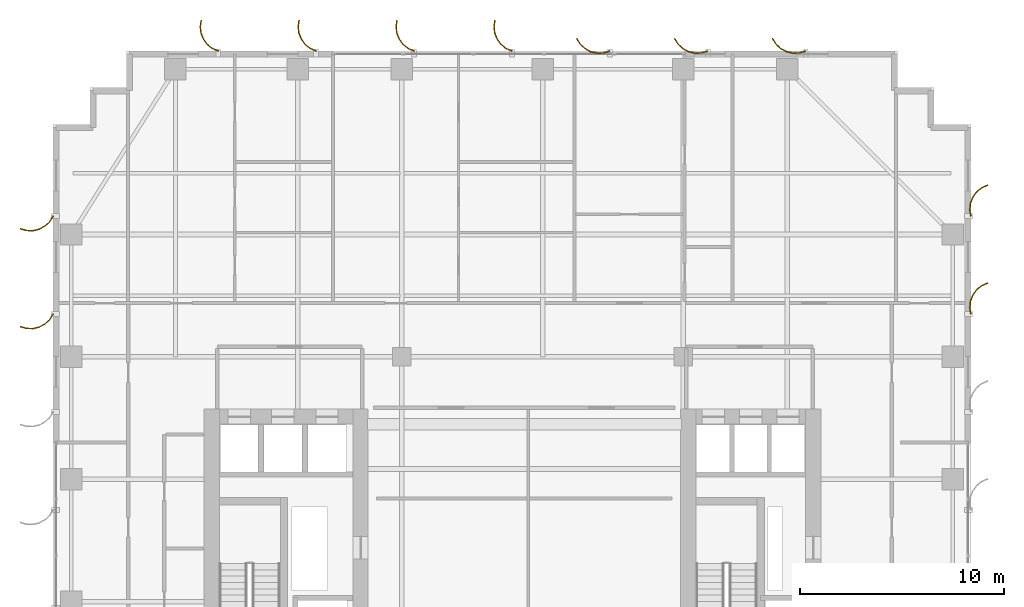
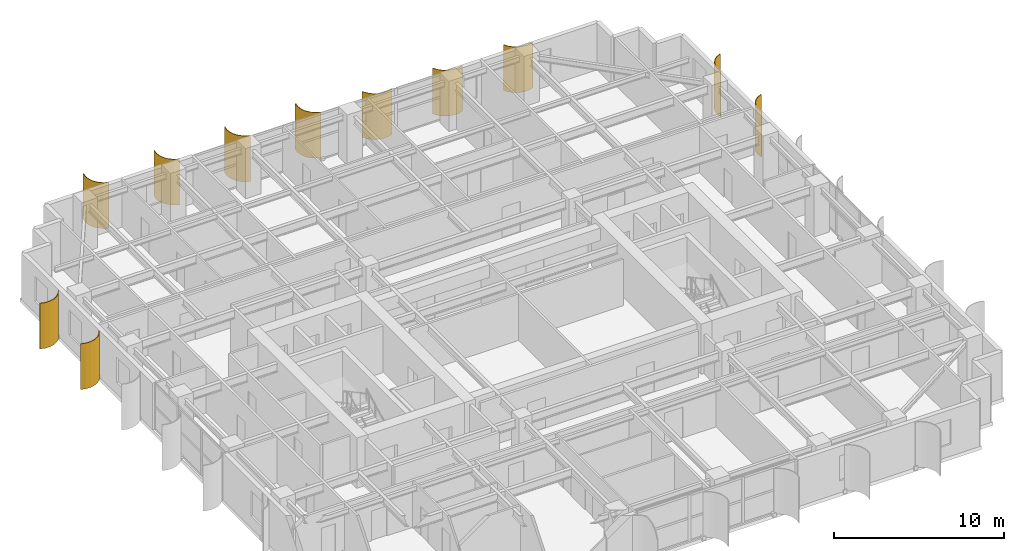
# One storey, part 21 of 21: 11 shading devices.
"""IFC4 building model written with IfcOpenShell, lengths in metres."""

from ifc_helpers import new_model, si_unit, direction, frame, origin, place, context, subcontext, project, spatial, polyline, outline, extrude, source, transform, mapped, material, layer, layer_set, type_object, element, save


model = new_model("IFC4")

# Units and contexts
model_context = context("Model", 3, precision=1e-05, world=origin(), true_north=direction((0.0, 1.0)))
body_context = subcontext(model_context, "Body", "Model", "MODEL_VIEW")
ifc_project = project(units=[si_unit("LENGTHUNIT", "METRE"), si_unit("AREAUNIT", "SQUARE_METRE"), si_unit("VOLUMEUNIT", "CUBIC_METRE"), si_unit("PLANEANGLEUNIT", "RADIAN"), si_unit("MASSUNIT", "GRAM", prefix="KILO")], contexts=[model_context])

# Site, building, storey
site_placement = place(None, origin())
site = spatial("IfcSite", under=ifc_project, at=site_placement, CompositionType="ELEMENT")
building_placement = place(site_placement, origin())
building = spatial("IfcBuilding", under=site, at=building_placement, Name="Khoralis Quay Care Tower", CompositionType="ELEMENT")
storey_placement = place(building_placement, frame((0.0, 0.0, 112.5)))
storey = spatial("IfcBuildingStorey", under=building, at=storey_placement, Name="L29", CompositionType="ELEMENT", Elevation=112.5)

# Shading devices
ifc_material = material(Name="Brushed pale anodised aluminium", Category="aluminium")
ifc_layer = layer(ifc_material, 0.044921875)
ifc_layer_set = layer_set([ifc_layer], Name="Brushed pale anodised aluminium")
shading_device_type = type_object("IfcShadingDeviceType", Name="SHD-FIN-1250", PredefinedType="USERDEFINED", material=ifc_layer_set)
shared_shape_1 = source(origin(), body_context, "Body", "SweptSolid", [
    extrude(outline(polyline([(0.0, 0.0), (0.17041015625, 0.2783203125), (0.4072265625, 0.5029296875), (0.694091796875, 0.658447265625), (1.01123046875, 0.734619140625), (1.33740234375, 0.72607421875), (1.650390625, 0.633544921875), (1.632080078125, 0.59228515625), (1.330322265625, 0.681640625), (1.015869140625, 0.68994140625), (0.710205078125, 0.616455078125), (0.43359375, 0.466552734375), (0.20556640625, 0.25), (0.041015625, -0.018310546875), (0.0, 0.0)])), origin(), (0.0, 0.0, 1.0), 3.280029296875),
])
for number, where, z_axis, x_axis, name in (
    (1, (0.030029296875, 36.89990234375, 0.02001953125), (0.0, 0.0, 1.0), (-1.0, 0.0, 0.0), "L29 Curved Solar Fin P1E15-01"),
    (2, (0.030029296875, 32.10009765625, 0.02001953125), (0.0, 0.0, 1.0), (-1.0, 0.0, 0.0), "L29 Curved Solar Fin P1E15-02"),
):
    element("IfcShadingDevice", number, at=place(storey_placement, frame(where, z_axis=z_axis, x_axis=x_axis)), inside=storey, type_object=shading_device_type, Name=name, ObjectType="FIN", PredefinedType="USERDEFINED", context=body_context, shape_type="MappedRepresentation", body=[
        mapped(shared_shape_1, transform((0.0, 0.0, 0.0), scale=1.0)),
    ])
shared_shape_2 = source(origin(), body_context, "Body", "SweptSolid", [
    extrude(outline(polyline([(0.0, 0.0), (-0.04833984375, 0.32275390625), (-0.01123046875, 0.64697265625), (0.1083984375, 0.950439453125), (0.302490234375, 1.212890625), (0.557861328125, 1.416015625), (0.85693359375, 1.546142578125), (0.869384765625, 1.5029296875), (0.5810546875, 1.37744140625), (0.334716796875, 1.181640625), (0.147705078125, 0.9287109375), (0.032470703125, 0.635986328125), (-0.003173828125, 0.323486328125), (0.043212890625, 0.012451171875), (0.0, 0.0)])), origin(), (0.0, 0.0, 1.0), 3.280029296875),
])
for number, where, z_axis, x_axis, name in (
    (3, (44.969970703125, 32.10009765625, 0.02001953125), (0.0, 0.0, 1.0), (1.0, 0.0, 0.0), "L29 Curved Solar Fin P1E5-06"),
    (4, (44.969970703125, 36.89990234375, 0.02001953125), (0.0, 0.0, 1.0), (1.0, 0.0, 0.0), "L29 Curved Solar Fin P1E5-07"),
):
    element("IfcShadingDevice", number, at=place(storey_placement, frame(where, z_axis=z_axis, x_axis=x_axis)), inside=storey, type_object=shading_device_type, Name=name, ObjectType="FIN", PredefinedType="USERDEFINED", context=body_context, shape_type="MappedRepresentation", body=[
        mapped(shared_shape_2, transform((0.0, 0.0, 0.0), scale=1.0)),
    ])
shared_shape_3 = source(origin(), body_context, "Body", "SweptSolid", [
    extrude(outline(polyline([(0.0, 0.0), (-0.0927734375, 0.31298828125), (-0.101318359375, 0.63916015625), (-0.025146484375, 0.956298828125), (0.130615234375, 1.2431640625), (0.355224609375, 1.479736328125), (0.633544921875, 1.650390625), (0.65185546875, 1.609130859375), (0.383544921875, 1.44482421875), (0.1669921875, 1.216796875), (0.01708984375, 0.940185546875), (-0.056396484375, 0.63427734375), (-0.04833984375, 0.31982421875), (0.041015625, 0.018310546875), (0.0, 0.0)])), origin(), (0.0, 0.0, 1.0), 3.280029296875),
])
for number, where, z_axis, x_axis, name in (
    (5, (36.89990234375, 44.969970703125, 0.02001953125), (0.0, 0.0, 1.0), (0.0, 1.0, 0.0), "L29 Curved Solar Fin P1E10-01"),
    (6, (32.10009765625, 44.969970703125, 0.02001953125), (0.0, 0.0, 1.0), (0.0, 1.0, 0.0), "L29 Curved Solar Fin P1E10-02"),
    (7, (27.300048828125, 44.969970703125, 0.02001953125), (0.0, 0.0, 1.0), (0.0, 1.0, 0.0), "L29 Curved Solar Fin P1E10-03"),
):
    element("IfcShadingDevice", number, at=place(storey_placement, frame(where, z_axis=z_axis, x_axis=x_axis)), inside=storey, type_object=shading_device_type, Name=name, ObjectType="FIN", PredefinedType="USERDEFINED", context=body_context, shape_type="MappedRepresentation", body=[
        mapped(shared_shape_3, transform((0.0, 0.0, 0.0), scale=1.0)),
    ])
shared_shape_4 = source(origin(), body_context, "Body", "SweptSolid", [
    extrude(outline(polyline([(0.0, 0.0), (0.130126953125, 0.29931640625), (0.333251953125, 0.5546875), (0.595458984375, 0.748779296875), (0.899169921875, 0.868408203125), (1.223388671875, 0.9052734375), (1.546142578125, 0.85693359375), (1.53369140625, 0.813720703125), (1.22265625, 0.8603515625), (0.91015625, 0.82470703125), (0.617431640625, 0.70947265625), (0.364501953125, 0.522216796875), (0.168701171875, 0.276123046875), (0.043212890625, -0.012451171875), (0.0, 0.0)])), origin(), (0.0, 0.0, 1.0), 3.280029296875),
])
for number, where, z_axis, x_axis, name in (
    (8, (22.5, 44.969970703125, 0.02001953125), (0.0, 0.0, 1.0), (0.0, 1.0, 0.0), "L29 Curved Solar Fin P1E10-04"),
    (9, (17.699951171875, 44.969970703125, 0.02001953125), (0.0, 0.0, 1.0), (0.0, 1.0, 0.0), "L29 Curved Solar Fin P1E10-05"),
    (10, (12.89990234375, 44.969970703125, 0.02001953125), (0.0, 0.0, 1.0), (0.0, 1.0, 0.0), "L29 Curved Solar Fin P1E10-06"),
    (11, (8.10009765625, 44.969970703125, 0.02001953125), (0.0, 0.0, 1.0), (0.0, 1.0, 0.0), "L29 Curved Solar Fin P1E10-07"),
):
    element("IfcShadingDevice", number, at=place(storey_placement, frame(where, z_axis=z_axis, x_axis=x_axis)), inside=storey, type_object=shading_device_type, Name=name, ObjectType="FIN", PredefinedType="USERDEFINED", context=body_context, shape_type="MappedRepresentation", body=[
        mapped(shared_shape_4, transform((0.0, 0.0, 0.0), scale=1.0)),
    ])

save(model, "model.ifc")
